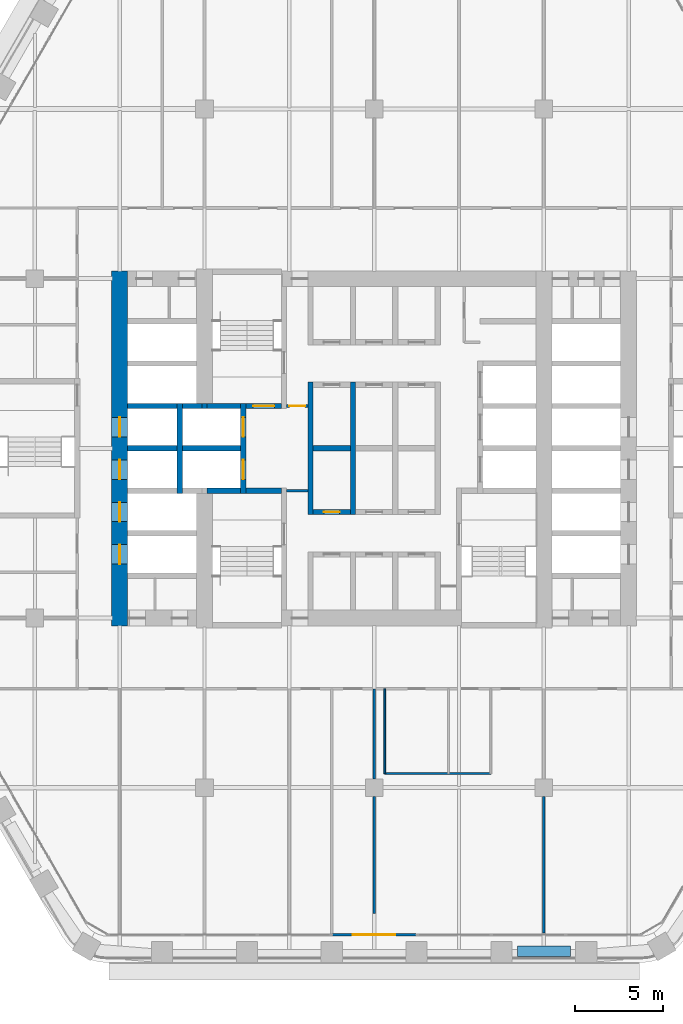
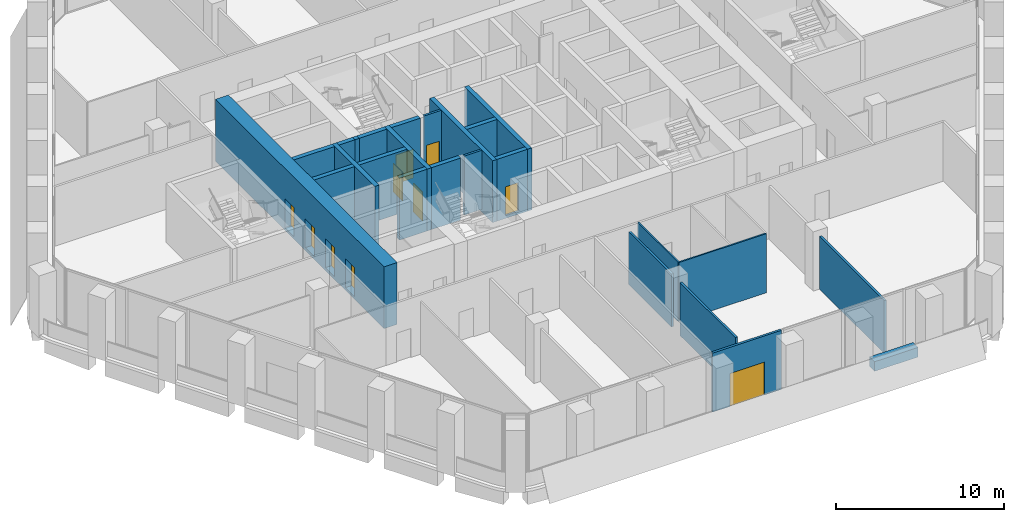
# One storey, part 13 of 23: 25 walls, 10 doors, 10 openings.
"""IFC4 building model written with IfcOpenShell, lengths in metres."""

import ifcopenshell
import ifcopenshell.guid

model = None  # the IFC model being written
_history = None  # IfcOwnerHistory: only IFC2X3 demands one
_inside = {}  # id of a spatial element -> (the spatial element, [elements in it])
_under = {}  # id of a project, library or spatial element -> (it, [spatial elements below it])
_declared = {}  # id of a project -> (the project, [libraries it declares])
_typed = {}  # id of a type object -> (the type object, [elements of that type])
_made_of = {}  # id of a material, layer set ... -> (it, [elements and type objects made of it])


def new_model(schema):
    """Start an empty IFC model of exactly this schema.

    Asked for "IFC4X3", IfcOpenShell would pick the latest addendum, in which some entities
    have other attributes; the version numbers below select the first issue.
    IFC2X3 requires an IfcOwnerHistory on every rooted entity: one is made here for all.
    """
    global model, _history
    if schema == "IFC4X3":
        model = ifcopenshell.file(schema_version=(4, 3, 0, 0))
    else:
        model = ifcopenshell.file(schema=schema)
    _inside.clear()
    _under.clear()
    _declared.clear()
    _typed.clear()
    _made_of.clear()
    _history = None
    if model.schema == "IFC2X3":
        org = make("IfcOrganization", Name="unknown")
        user = make(
            "IfcPersonAndOrganization",
            ThePerson=make("IfcPerson", FamilyName="unknown"),
            TheOrganization=org,
        )
        app = make(
            "IfcApplication",
            ApplicationDeveloper=org,
            Version="unknown",
            ApplicationFullName="unknown",
            ApplicationIdentifier="unknown",
        )
        _history = make(
            "IfcOwnerHistory",
            OwningUser=user,
            OwningApplication=app,
            ChangeAction="ADDED",
            CreationDate=0,
        )
    return model


def make(cls, **values):
    """One entity of the class cls with the attributes given. An attribute that is None is left unset."""
    return model.create_entity(
        cls, **{name: value for name, value in values.items() if value is not None}
    )


def rooted(cls, **values):
    """An entity with a GlobalId (a new one), such as an element, a storey or a relation."""
    return make(cls, GlobalId=ifcopenshell.guid.new(), OwnerHistory=_history, **values)


def si_unit(unit_type, name, prefix=None):
    """IfcSIUnit, for example si_unit("LENGTHUNIT", "METRE", prefix="MILLI")."""
    return make("IfcSIUnit", UnitType=unit_type, Prefix=prefix, Name=name)


def assignment(units):
    """IfcUnitAssignment: the units of a project."""
    return None if units is None else make("IfcUnitAssignment", Units=units)


def point(xyz):
    """IfcCartesianPoint."""
    return None if xyz is None else make("IfcCartesianPoint", Coordinates=xyz)


def direction(xyz):
    """IfcDirection."""
    return None if xyz is None else make("IfcDirection", DirectionRatios=xyz)


def frame(location, z_axis=None, x_axis=None):
    """IfcAxis2Placement3D, a coordinate frame: its origin and axes. An axis left out is left unset."""
    return make(
        "IfcAxis2Placement3D",
        Location=point(location),
        Axis=direction(z_axis),
        RefDirection=direction(x_axis),
    )


def frame_2d(location, x_axis=None):
    """IfcAxis2Placement2D, a coordinate frame in the plane: its origin and x axis."""
    return make(
        "IfcAxis2Placement2D", Location=point(location), RefDirection=direction(x_axis)
    )


def origin():
    """The frame at (0, 0, 0) with its axes left unset."""
    return frame((0.0, 0.0, 0.0))


def place(relative_to, where):
    """IfcLocalPlacement: puts the frame where relative to a parent placement (None: the world)."""
    return make(
        "IfcLocalPlacement", PlacementRelTo=relative_to, RelativePlacement=where
    )


def context(
    kind, dimensions, precision=None, world=None, true_north=None, identifier=None
):
    """IfcGeometricRepresentationContext, for example the 3D "Model" context."""
    return make(
        "IfcGeometricRepresentationContext",
        ContextIdentifier=identifier,
        ContextType=kind,
        CoordinateSpaceDimension=dimensions,
        Precision=precision,
        WorldCoordinateSystem=world,
        TrueNorth=true_north,
    )


def subcontext(parent, identifier, kind, view, scale=None):
    """IfcGeometricRepresentationSubContext, for example "Body" below "Model"."""
    return make(
        "IfcGeometricRepresentationSubContext",
        ContextIdentifier=identifier,
        ContextType=kind,
        ParentContext=parent,
        TargetScale=scale,
        TargetView=view,
    )


def project(units=None, contexts=None):
    """IfcProject with its units and contexts."""
    return rooted(
        "IfcProject",
        Name="project",
        RepresentationContexts=contexts,
        UnitsInContext=assignment(units),
    )


def spatial(cls, under=None, at=None, **own):
    """A site, building, storey or space (cls), placed at a placement, below another one or the project."""
    s = rooted(cls, ObjectPlacement=at, **own)
    if under is not None:
        _under.setdefault(under.id(), (under, []))[1].append(s)
    return s


def profile(cls, at=None, kind="AREA", **sizes):
    """A parametric profile (cls). Its sizes go by their IFC names, for example OverallWidth=200.0."""
    return make(cls, ProfileType=kind, Position=at, **sizes)


def rectangle(**sizes):
    """IfcRectangleProfileDef."""
    return profile("IfcRectangleProfileDef", **sizes)


def extrude(swept, where, along, depth):
    """IfcExtrudedAreaSolid: the profile swept, set in the frame where, extruded along a direction by depth."""
    return make(
        "IfcExtrudedAreaSolid",
        SweptArea=swept,
        Position=where,
        ExtrudedDirection=direction(along),
        Depth=depth,
    )


def shape(context_of_items, identifier, shape_type, items):
    """IfcShapeRepresentation: the items that make up one representation, for example the "Body"."""
    return make(
        "IfcShapeRepresentation",
        ContextOfItems=context_of_items,
        RepresentationIdentifier=identifier,
        RepresentationType=shape_type,
        Items=items,
    )


def material(Name=None, Category=None):
    """IfcMaterial."""
    return make("IfcMaterial", Name=Name, Category=Category)


def layer(
    of_material, thickness, ventilated=None, Name=None, Category=None, Priority=None
):
    """IfcMaterialLayer: one layer of a wall or slab, of a material (None: an air gap)."""
    return make(
        "IfcMaterialLayer",
        Material=of_material,
        LayerThickness=thickness,
        IsVentilated=ventilated,
        Name=Name,
        Category=Category,
        Priority=Priority,
    )


def layer_set(layers, Name=None):
    """IfcMaterialLayerSet."""
    return make("IfcMaterialLayerSet", MaterialLayers=layers, LayerSetName=Name)


def made_of(thing, what):
    """Note that an element or type object is made of a material, layer set ...; save() writes the relation."""
    if what is not None:
        _made_of.setdefault(what.id(), (what, []))[1].append(thing)
    return thing


def type_object(cls, material=None, **own):
    """A type object (cls), such as IfcWallType, which elements share."""
    return made_of(rooted(cls, **own), material)


def element(
    cls,
    number,
    at=None,
    inside=None,
    cuts=None,
    type_object=None,
    material=None,
    context=None,
    identifier="Body",
    shape_type=None,
    held_by="IfcProductDefinitionShape",
    body=None,
    shapes=None,
    **own,
):
    """One element of the class cls, such as IfcWall. Its Tag is "e" and its number.

    at: its placement. inside: the storey or other place that contains it. cuts: it is an
    opening in that element (IfcRelVoidsElement). A single representation is given by context,
    identifier, shape_type and body (its items); several are given by shapes. held_by: the class
    of the entity that holds the representations. save() writes the other relations.
    """
    e = rooted(cls, Tag="e%d" % number, ObjectPlacement=at, **own)
    if body is not None:
        shapes = [shape(context, identifier, shape_type, body)]
    if shapes is not None:
        e.Representation = make(held_by, Representations=shapes)
    if inside is not None:
        _inside.setdefault(inside.id(), (inside, []))[1].append(e)
    if cuts is not None:
        rooted(
            "IfcRelVoidsElement", RelatingBuildingElement=cuts, RelatedOpeningElement=e
        )
    if type_object is not None:
        _typed.setdefault(type_object.id(), (type_object, []))[1].append(e)
    return made_of(e, material)


def fill(opening, filler):
    """IfcRelFillsElement: the door or window that sits in an opening."""
    return rooted(
        "IfcRelFillsElement",
        RelatingOpeningElement=opening,
        RelatedBuildingElement=filler,
    )


def aggregate(whole, parts):
    """IfcRelAggregates: a whole, such as a stair, and the parts it consists of."""
    return rooted("IfcRelAggregates", RelatingObject=whole, RelatedObjects=parts)


def save(model, path):
    """Write the relations noted so far, then the file.

    IfcRelAggregates (storeys below a building ...), IfcRelContainedInSpatialStructure (elements
    in a storey), IfcRelDefinesByType, IfcRelAssociatesMaterial and IfcRelDeclares: one each for
    every whole, place, type object, material and project.
    """
    for whole, parts in _under.values():
        aggregate(whole, parts)
    for where, things in _inside.values():
        rooted(
            "IfcRelContainedInSpatialStructure",
            RelatedElements=things,
            RelatingStructure=where,
        )
    for kind, things in _typed.values():
        rooted("IfcRelDefinesByType", RelatedObjects=things, RelatingType=kind)
    for what, things in _made_of.values():
        rooted("IfcRelAssociatesMaterial", RelatedObjects=things, RelatingMaterial=what)
    for by, libraries in _declared.values():
        rooted("IfcRelDeclares", RelatingContext=by, RelatedDefinitions=libraries)
    model.write(path)


model = new_model("IFC4")

# Units and contexts
model_context = context("Model", 3, precision=1e-05, world=origin(), true_north=direction((0.0, 1.0)))
body_context = subcontext(model_context, "Body", "Model", "MODEL_VIEW")
ifc_project = project(units=[si_unit("LENGTHUNIT", "METRE"), si_unit("AREAUNIT", "SQUARE_METRE"), si_unit("VOLUMEUNIT", "CUBIC_METRE"), si_unit("PLANEANGLEUNIT", "RADIAN"), si_unit("MASSUNIT", "GRAM", prefix="KILO")], contexts=[model_context])

# Site, building, storey
site_placement = place(None, origin())
site = spatial("IfcSite", under=ifc_project, at=site_placement, CompositionType="ELEMENT")
building_placement = place(site_placement, origin())
building = spatial("IfcBuilding", under=site, at=building_placement, Name="Kolab Exchange Tower", CompositionType="ELEMENT")
storey_placement = place(building_placement, frame((0.0, 0.0, 95.89990234375)))
storey = spatial("IfcBuildingStorey", under=building, at=storey_placement, Name="L18", CompositionType="ELEMENT", Elevation=95.89990234375)

# Wall, openings, doors
ifc_material_1 = material(Name="Concrete C70/85", Category="concrete")
ifc_layer_1 = layer(ifc_material_1, 0.89990234375)
ifc_layer_set_1 = layer_set([ifc_layer_1], Name="Concrete C70/85")
wall_type_1 = type_object("IfcWallType", Name="CORE WALL 900 C70/85", PredefinedType="SHEAR", material=ifc_layer_set_1)
wall_1_placement = place(storey_placement, frame((-14.39990234375, -10.050048828125, -0.199951171875), z_axis=(0.0, 0.0, 1.0), x_axis=(0.0, 1.0, 0.0)))
wall_1 = element("IfcWall", 1, at=wall_1_placement, inside=storey, type_object=wall_type_1, Name="wall/L18/core/057", PredefinedType="SHEAR", context=body_context, shape_type="SweptSolid", body=[
    extrude(rectangle(XDim=20.10009765625, YDim=0.89990234375, at=frame_2d((10.050048828125, 0.0))), origin(), (0.0, 0.0, 1.0), 4.5),
])
opening_1_placement = place(wall_1_placement, frame((3.5, 0.0, 0.199951171875)))
opening_1 = element("IfcOpeningElement", 2, at=opening_1_placement, cuts=wall_1, Name="Opening LD1-073", PredefinedType="OPENING", context=body_context, shape_type="SweptSolid", body=[
    extrude(rectangle(XDim=1.10009765625, YDim=2.10009765625, at=frame_2d((0.550048828125, 1.050048828125))), frame((0.0, 0.4599609375, 0.0), z_axis=(0.0, -1.0, 0.0), x_axis=(1.0, 0.0, 0.0)), (0.0, 0.0, 1.0), 0.919921875),
])
opening_2_placement = place(wall_1_placement, frame((5.89990234375, 0.0, 0.199951171875)))
opening_2 = element("IfcOpeningElement", 3, at=opening_2_placement, cuts=wall_1, Name="Opening LD1-074", PredefinedType="OPENING", context=body_context, shape_type="SweptSolid", body=[
    extrude(rectangle(XDim=1.10009765625, YDim=2.10009765625, at=frame_2d((0.550048828125, 1.050048828125))), frame((0.0, 0.4599609375, 0.0), z_axis=(0.0, -1.0, 0.0), x_axis=(1.0, 0.0, 0.0)), (0.0, 0.0, 1.0), 0.919921875),
])
opening_3_placement = place(wall_1_placement, frame((8.300048828125, 0.0, 0.199951171875)))
opening_3 = element("IfcOpeningElement", 4, at=opening_3_placement, cuts=wall_1, Name="Opening LD1-075", PredefinedType="OPENING", context=body_context, shape_type="SweptSolid", body=[
    extrude(rectangle(XDim=1.10009765625, YDim=2.10009765625, at=frame_2d((0.550048828125, 1.050048828125))), frame((0.0, 0.4599609375, 0.0), z_axis=(0.0, -1.0, 0.0), x_axis=(1.0, 0.0, 0.0)), (0.0, 0.0, 1.0), 0.919921875),
])
opening_4_placement = place(wall_1_placement, frame((10.699951171875, 0.0, 0.199951171875)))
opening_4 = element("IfcOpeningElement", 5, at=opening_4_placement, cuts=wall_1, Name="Opening LD1-076", PredefinedType="OPENING", context=body_context, shape_type="SweptSolid", body=[
    extrude(rectangle(XDim=1.10009765625, YDim=2.10009765625, at=frame_2d((0.550048828125, 1.050048828125))), frame((0.0, 0.4599609375, 0.0), z_axis=(0.0, -1.0, 0.0), x_axis=(1.0, 0.0, 0.0)), (0.0, 0.0, 1.0), 0.919921875),
])
ifc_material_2 = material(Name="Stainless steel 316", Category="steel")
door_type_1 = type_object("IfcDoorType", Name="LANDING DOOR 1100 PASSENGER", OperationType="DOUBLE_DOOR_SLIDING", PredefinedType="DOOR", material=ifc_material_2)
door_1_placement = place(opening_1_placement, origin())
door_1 = element("IfcDoor", 6, at=door_1_placement, inside=storey, type_object=door_type_1, Name="Landing door LR5", OperationType="DOUBLE_DOOR_SLIDING", OverallHeight=2.10009765625, OverallWidth=1.10009765625, PredefinedType="DOOR", context=body_context, shape_type="SweptSolid", body=[
    extrude(rectangle(XDim=1.10009765625, YDim=2.10009765625, at=frame_2d((0.550048828125, 1.050048828125))), frame((0.0, 0.02490234375, 0.0), z_axis=(0.0, -1.0, 0.0), x_axis=(1.0, 0.0, 0.0)), (0.0, 0.0, 1.0), 0.050048828125),
])
fill(opening_1, door_1)
door_2_placement = place(opening_2_placement, origin())
door_2 = element("IfcDoor", 7, at=door_2_placement, inside=storey, type_object=door_type_1, Name="Landing door LR6", OperationType="DOUBLE_DOOR_SLIDING", OverallHeight=2.10009765625, OverallWidth=1.10009765625, PredefinedType="DOOR", context=body_context, shape_type="SweptSolid", body=[
    extrude(rectangle(XDim=1.10009765625, YDim=2.10009765625, at=frame_2d((0.550048828125, 1.050048828125))), frame((0.0, 0.02490234375, 0.0), z_axis=(0.0, -1.0, 0.0), x_axis=(1.0, 0.0, 0.0)), (0.0, 0.0, 1.0), 0.050048828125),
])
fill(opening_2, door_2)
door_3_placement = place(opening_3_placement, origin())
door_3 = element("IfcDoor", 8, at=door_3_placement, inside=storey, type_object=door_type_1, Name="Landing door LR7", OperationType="DOUBLE_DOOR_SLIDING", OverallHeight=2.10009765625, OverallWidth=1.10009765625, PredefinedType="DOOR", context=body_context, shape_type="SweptSolid", body=[
    extrude(rectangle(XDim=1.10009765625, YDim=2.10009765625, at=frame_2d((0.550048828125, 1.050048828125))), frame((0.0, 0.02490234375, 0.0), z_axis=(0.0, -1.0, 0.0), x_axis=(1.0, 0.0, 0.0)), (0.0, 0.0, 1.0), 0.050048828125),
])
fill(opening_3, door_3)
door_4_placement = place(opening_4_placement, origin())
door_4 = element("IfcDoor", 9, at=door_4_placement, inside=storey, type_object=door_type_1, Name="Landing door LR8", OperationType="DOUBLE_DOOR_SLIDING", OverallHeight=2.10009765625, OverallWidth=1.10009765625, PredefinedType="DOOR", context=body_context, shape_type="SweptSolid", body=[
    extrude(rectangle(XDim=1.10009765625, YDim=2.10009765625, at=frame_2d((0.550048828125, 1.050048828125))), frame((0.0, 0.02490234375, 0.0), z_axis=(0.0, -1.0, 0.0), x_axis=(1.0, 0.0, 0.0)), (0.0, 0.0, 1.0), 0.050048828125),
])
fill(opening_4, door_4)

# Wall, opening, door
ifc_material_3 = material(Name="Aluminium EN AW-6063 T6", Category="aluminium")
ifc_layer_2 = layer(ifc_material_3, 0.159912109375)
ifc_layer_set_2 = layer_set([ifc_layer_2], Name="Aluminium EN AW-6063 T6")
wall_type_2 = type_object("IfcWallType", Name="DOOR SURROUND WALL 160 ALUMINIUM FRAMED", PredefinedType="PARTITIONING", material=ifc_layer_set_2)
wall_2_placement = place(storey_placement, frame((2.3701171875, -27.5185546875, 0.0), z_axis=(0.0, 0.0, 1.0), x_axis=(-1.0, 0.0, 0.0)))
wall_2 = element("IfcWall", 10, at=wall_2_placement, inside=storey, type_object=wall_type_2, Name="Door surround wall", PredefinedType="PARTITIONING", context=body_context, shape_type="SweptSolid", body=[
    extrude(rectangle(XDim=4.740234375, YDim=0.159912109375, at=frame_2d((2.3701171875, 0.0))), origin(), (0.0, 0.0, 1.0), 4.300048828125),
])
opening_5_placement = place(wall_2_placement, frame((1.169921875, 0.0, 0.0)))
opening_5 = element("IfcOpeningElement", 11, at=opening_5_placement, cuts=wall_2, Name="Opening GD1-037", PredefinedType="OPENING", context=body_context, shape_type="SweptSolid", body=[
    extrude(rectangle(XDim=2.39990234375, YDim=2.39990234375, at=frame_2d((1.199951171875, 1.199951171875))), frame((0.0, 0.08984375, 0.0), z_axis=(0.0, -1.0, 0.0), x_axis=(1.0, 0.0, 0.0)), (0.0, 0.0, 1.0), 0.179931640625),
])
door_type_2 = type_object("IfcDoorType", Name="LOGGIA SLIDING GLASS DOOR 2400 X 2400", OperationType="DOUBLE_DOOR_SINGLE_SWING", PredefinedType="DOOR", material=ifc_material_3)
door_5_placement = place(opening_5_placement, origin())
door_5 = element("IfcDoor", 12, at=door_5_placement, inside=storey, type_object=door_type_2, Name="Loggia door", OperationType="DOUBLE_DOOR_SLIDING", OverallHeight=2.39990234375, OverallWidth=2.39990234375, PredefinedType="DOOR", context=body_context, shape_type="SweptSolid", body=[
    extrude(rectangle(XDim=2.39990234375, YDim=2.39990234375, at=frame_2d((1.199951171875, 1.199951171875))), frame((0.0, 0.02490234375, 0.0), z_axis=(0.0, -1.0, 0.0), x_axis=(1.0, 0.0, 0.0)), (0.0, 0.0, 1.0), 0.050048828125),
])
fill(opening_5, door_5)

ifc_material_4 = material(Name="Concrete C50/60", Category="concrete")
ifc_layer_3 = layer(ifc_material_4, 0.300048828125)
ifc_layer_set_3 = layer_set([ifc_layer_3], Name="Concrete C50/60")
wall_type_3 = type_object("IfcWallType", Name="LIFT SHAFT WALL 300 C50/60", PredefinedType="STANDARD", material=ifc_layer_set_3)
wall_3_placement = place(storey_placement, frame((-3.449951171875, -3.60009765625, -0.199951171875), z_axis=(0.0, 0.0, 1.0), x_axis=(1.0, 0.0, 0.0)))
wall_3 = element("IfcWall", 13, at=wall_3_placement, inside=storey, type_object=wall_type_3, Name="wall/L18/core/014", PredefinedType="STANDARD", context=body_context, shape_type="SweptSolid", body=[
    extrude(rectangle(XDim=2.099853515625, YDim=0.300048828125, at=frame_2d((1.0498046875, 0.0))), origin(), (0.0, 0.0, 1.0), 4.5),
])
opening_6_placement = place(wall_3_placement, frame((0.60009765625, 0.0, 0.199951171875)))
opening_6 = element("IfcOpeningElement", 14, at=opening_6_placement, cuts=wall_3, Name="Opening D6-199", PredefinedType="OPENING", context=body_context, shape_type="SweptSolid", body=[
    extrude(rectangle(XDim=0.89990234375, YDim=2.10009765625, at=frame_2d((0.449951171875, 1.050048828125))), frame((0.0, 0.16015625, 0.0), z_axis=(0.0, -1.0, 0.0), x_axis=(1.0, 0.0, 0.0)), (0.0, 0.0, 1.0), 0.320068359375),
])
ifc_material_5 = material(Name="Steel S235", Category="steel")
door_type_3 = type_object("IfcDoorType", Name="CORE DOOR 900 EI 120", OperationType="SINGLE_SWING_LEFT", PredefinedType="DOOR", material=ifc_material_5)
door_6_placement = place(opening_6_placement, origin())
door_6 = element("IfcDoor", 15, at=door_6_placement, inside=storey, type_object=door_type_3, Name="Service room door", OperationType="SINGLE_SWING_LEFT", OverallHeight=2.10009765625, OverallWidth=0.89990234375, PredefinedType="DOOR", context=body_context, shape_type="SweptSolid", body=[
    extrude(rectangle(XDim=0.89990234375, YDim=2.10009765625, at=frame_2d((0.449951171875, 1.050048828125))), frame((0.0, 0.02490234375, 0.0), z_axis=(0.0, -1.0, 0.0), x_axis=(1.0, 0.0, 0.0)), (0.0, 0.0, 1.0), 0.050048828125),
])
fill(opening_6, door_6)

# Walls
wall_4_placement = place(storey_placement, frame((-13.949951171875, 0.0, -0.199951171875), z_axis=(0.0, 0.0, 1.0), x_axis=(1.0, 0.0, 0.0)))
element("IfcWall", 16, at=wall_4_placement, inside=storey, type_object=wall_type_3, Name="wall/L18/core/024", PredefinedType="STANDARD", context=body_context, shape_type="SweptSolid", body=[
    extrude(rectangle(XDim=2.800048828125, YDim=0.300048828125, at=frame_2d((1.39990234375, 0.0))), origin(), (0.0, 0.0, 1.0), 4.5),
])
wall_5_placement = place(storey_placement, frame((-10.85009765625, 0.0, -0.199951171875), z_axis=(0.0, 0.0, 1.0), x_axis=(1.0, 0.0, 0.0)))
element("IfcWall", 17, at=wall_5_placement, inside=storey, type_object=wall_type_3, Name="wall/L18/core/025", PredefinedType="STANDARD", context=body_context, shape_type="SweptSolid", body=[
    extrude(rectangle(XDim=3.300048828125, YDim=0.300048828125, at=frame_2d((1.64990234375, 0.0))), origin(), (0.0, 0.0, 1.0), 4.5),
])
wall_6_placement = place(storey_placement, frame((-3.449951171875, 0.0, -0.199951171875), z_axis=(0.0, 0.0, 1.0), x_axis=(1.0, 0.0, 0.0)))
element("IfcWall", 18, at=wall_6_placement, inside=storey, type_object=wall_type_3, Name="wall/L18/core/026", PredefinedType="STANDARD", context=body_context, shape_type="SweptSolid", body=[
    extrude(rectangle(XDim=2.099853515625, YDim=0.300048828125, at=frame_2d((1.0498046875, 0.0))), origin(), (0.0, 0.0, 1.0), 4.5),
])
wall_7_placement = place(storey_placement, frame((-13.949951171875, 2.39990234375, -0.199951171875), z_axis=(0.0, 0.0, 1.0), x_axis=(1.0, 0.0, 0.0)))
element("IfcWall", 19, at=wall_7_placement, inside=storey, type_object=wall_type_3, Name="wall/L18/core/031", PredefinedType="STANDARD", context=body_context, shape_type="SweptSolid", body=[
    extrude(rectangle(XDim=2.800048828125, YDim=0.300048828125, at=frame_2d((1.39990234375, 0.0))), origin(), (0.0, 0.0, 1.0), 4.5),
])
wall_8_placement = place(storey_placement, frame((-10.85009765625, 2.39990234375, -0.199951171875), z_axis=(0.0, 0.0, 1.0), x_axis=(1.0, 0.0, 0.0)))
element("IfcWall", 20, at=wall_8_placement, inside=storey, type_object=wall_type_3, Name="wall/L18/core/032", PredefinedType="STANDARD", context=body_context, shape_type="SweptSolid", body=[
    extrude(rectangle(XDim=1.10009765625, YDim=0.300048828125, at=frame_2d((0.550048828125, 0.0))), origin(), (0.0, 0.0, 1.0), 4.5),
])
wall_9_placement = place(storey_placement, frame((-11.0, -2.550048828125, -0.199951171875), z_axis=(0.0, 0.0, 1.0), x_axis=(0.0, 1.0, 0.0)))
element("IfcWall", 21, at=wall_9_placement, inside=storey, type_object=wall_type_3, Name="wall/L18/core/058", PredefinedType="STANDARD", context=body_context, shape_type="SweptSolid", body=[
    extrude(rectangle(XDim=5.10009765625, YDim=0.300048828125, at=frame_2d((2.550048828125, 0.0))), origin(), (0.0, 0.0, 1.0), 4.5),
])

# Wall, openings, doors
wall_10_placement = place(storey_placement, frame((-7.39990234375, -2.550048828125, -0.199951171875), z_axis=(0.0, 0.0, 1.0), x_axis=(0.0, 1.0, 0.0)))
wall_10 = element("IfcWall", 22, at=wall_10_placement, inside=storey, type_object=wall_type_3, Name="wall/L18/core/063", PredefinedType="STANDARD", context=body_context, shape_type="SweptSolid", body=[
    extrude(rectangle(XDim=5.10009765625, YDim=0.300048828125, at=frame_2d((2.550048828125, 0.0))), origin(), (0.0, 0.0, 1.0), 4.5),
])
opening_7_placement = place(wall_10_placement, frame((0.800048828125, 0.0, 0.199951171875)))
opening_7 = element("IfcOpeningElement", 23, at=opening_7_placement, cuts=wall_10, Name="Opening LD2-017", PredefinedType="OPENING", context=body_context, shape_type="SweptSolid", body=[
    extrude(rectangle(XDim=1.10009765625, YDim=2.10009765625, at=frame_2d((0.550048828125, 1.050048828125))), frame((0.0, 0.16015625, 0.0), z_axis=(0.0, -1.0, 0.0), x_axis=(1.0, 0.0, 0.0)), (0.0, 0.0, 1.0), 0.320068359375),
])
opening_8_placement = place(wall_10_placement, frame((3.199951171875, 0.0, 0.199951171875)))
opening_8 = element("IfcOpeningElement", 24, at=opening_8_placement, cuts=wall_10, Name="Opening LD2-018", PredefinedType="OPENING", context=body_context, shape_type="SweptSolid", body=[
    extrude(rectangle(XDim=1.10009765625, YDim=2.10009765625, at=frame_2d((0.550048828125, 1.050048828125))), frame((0.0, 0.16015625, 0.0), z_axis=(0.0, -1.0, 0.0), x_axis=(1.0, 0.0, 0.0)), (0.0, 0.0, 1.0), 0.320068359375),
])
door_type_4 = type_object("IfcDoorType", Name="LANDING DOOR 1100 FIREFIGHTING", OperationType="DOUBLE_DOOR_SLIDING", PredefinedType="DOOR", material=ifc_material_2)
door_7_placement = place(opening_7_placement, origin())
door_7 = element("IfcDoor", 25, at=door_7_placement, inside=storey, type_object=door_type_4, Name="Landing door FF1", OperationType="DOUBLE_DOOR_SLIDING", OverallHeight=2.10009765625, OverallWidth=1.10009765625, PredefinedType="DOOR", context=body_context, shape_type="SweptSolid", body=[
    extrude(rectangle(XDim=1.10009765625, YDim=2.10009765625, at=frame_2d((0.550048828125, 1.050048828125))), frame((0.0, 0.02490234375, 0.0), z_axis=(0.0, -1.0, 0.0), x_axis=(1.0, 0.0, 0.0)), (0.0, 0.0, 1.0), 0.050048828125),
])
fill(opening_7, door_7)
door_8_placement = place(opening_8_placement, origin())
door_8 = element("IfcDoor", 26, at=door_8_placement, inside=storey, type_object=door_type_4, Name="Landing door FF2", OperationType="DOUBLE_DOOR_SLIDING", OverallHeight=2.10009765625, OverallWidth=1.10009765625, PredefinedType="DOOR", context=body_context, shape_type="SweptSolid", body=[
    extrude(rectangle(XDim=1.10009765625, YDim=2.10009765625, at=frame_2d((0.550048828125, 1.050048828125))), frame((0.0, 0.02490234375, 0.0), z_axis=(0.0, -1.0, 0.0), x_axis=(1.0, 0.0, 0.0)), (0.0, 0.0, 1.0), 0.050048828125),
])
fill(opening_8, door_8)

# Walls
for number, where, z_axis, x_axis, name in (
    (27, (-3.60009765625, -3.75, -0.199951171875), (0.0, 0.0, 1.0), (0.0, 1.0, 0.0), "wall/L18/core/067"),
    (28, (-1.199951171875, -3.75, -0.199951171875), (0.0, 0.0, 1.0), (0.0, 1.0, 0.0), "wall/L18/core/070"),
):
    element("IfcWall", number, at=place(storey_placement, frame(where, z_axis=z_axis, x_axis=x_axis)), inside=storey, type_object=wall_type_3, Name=name, PredefinedType="STANDARD", context=body_context, shape_type="SweptSolid", body=[
        extrude(rectangle(XDim=7.5, YDim=0.300048828125, at=frame_2d((3.75, 0.0))), origin(), (0.0, 0.0, 1.0), 4.5),
    ])
ifc_material_6 = material(Name="Gypsum board", Category="gypsum")
ifc_layer_4 = layer(ifc_material_6, 0.10009765625)
ifc_layer_set_4 = layer_set([ifc_layer_4], Name="Gypsum board")
wall_type_4 = type_object("IfcWallType", Name="PARTITION 100", PredefinedType="PARTITIONING", material=ifc_layer_set_4)
wall_11_placement = place(storey_placement, frame((0.60009765625, -18.39990234375, 0.0), z_axis=(0.0, 0.0, 1.0), x_axis=(0.0, 1.0, 0.0)))
element("IfcWall", 29, at=wall_11_placement, inside=storey, type_object=wall_type_4, Name="Partition 015", PredefinedType="PARTITIONING", context=body_context, shape_type="SweptSolid", body=[
    extrude(rectangle(XDim=4.7998046875, YDim=0.10009765625, at=frame_2d((2.39990234375, 0.0))), origin(), (0.0, 0.0, 1.0), 4.300048828125),
])
wall_12_placement = place(storey_placement, frame((0.60009765625, -18.39990234375, 0.0), z_axis=(0.0, 0.0, 1.0), x_axis=(1.0, 0.0, 0.0)))
element("IfcWall", 30, at=wall_12_placement, inside=storey, type_object=wall_type_4, Name="Partition 035", PredefinedType="PARTITIONING", context=body_context, shape_type="SweptSolid", body=[
    extrude(rectangle(XDim=6.0, YDim=0.10009765625, at=frame_2d((3.0, 0.0))), origin(), (0.0, 0.0, 1.0), 4.300048828125),
])
ifc_layer_5 = layer(ifc_material_6, 0.14990234375)
ifc_layer_set_5 = layer_set([ifc_layer_5], Name="Gypsum board")
wall_type_5 = type_object("IfcWallType", Name="PARTITION 150 FIRE-RATED", PredefinedType="PARTITIONING", material=ifc_layer_set_5)
wall_13_placement = place(storey_placement, frame((9.60009765625, -27.428466796875, 0.0), z_axis=(0.0, 0.0, 1.0), x_axis=(0.0, 1.0, 0.0)))
element("IfcWall", 31, at=wall_13_placement, inside=storey, type_object=wall_type_5, Name="Partition 007", PredefinedType="PARTITIONING", context=body_context, shape_type="SweptSolid", body=[
    extrude(rectangle(XDim=7.728515625, YDim=0.14990234375, at=frame_2d((3.8642578125, 0.0))), origin(), (0.0, 0.0, 1.0), 3.843017578125),
])
wall_14_placement = place(storey_placement, frame((0.0, -26.318603515625, 0.0), z_axis=(0.0, 0.0, 1.0), x_axis=(0.0, 1.0, 0.0)))
element("IfcWall", 32, at=wall_14_placement, inside=storey, type_object=wall_type_5, Name="Partition 018", PredefinedType="PARTITIONING", context=body_context, shape_type="SweptSolid", body=[
    extrude(rectangle(XDim=6.61865234375, YDim=0.14990234375, at=frame_2d((3.309326171875, 0.0))), origin(), (0.0, 0.0, 1.0), 3.843017578125),
])
wall_15_placement = place(storey_placement, frame((0.0, -18.699951171875, 0.0), z_axis=(0.0, 0.0, 1.0), x_axis=(0.0, 1.0, 0.0)))
element("IfcWall", 33, at=wall_15_placement, inside=storey, type_object=wall_type_5, Name="Partition 019", PredefinedType="PARTITIONING", context=body_context, shape_type="SweptSolid", body=[
    extrude(rectangle(XDim=5.099853515625, YDim=0.14990234375, at=frame_2d((2.5498046875, 0.0))), origin(), (0.0, 0.0, 1.0), 3.843017578125),
])

# Wall, opening, door
wall_16_placement = place(storey_placement, frame((-4.949951171875, 2.39990234375, 0.0), z_axis=(0.0, 0.0, 1.0), x_axis=(1.0, 0.0, 0.0)))
wall_16 = element("IfcWall", 34, at=wall_16_placement, inside=storey, type_object=wall_type_5, Name="Fire partition", PredefinedType="PARTITIONING", context=body_context, shape_type="SweptSolid", body=[
    extrude(rectangle(XDim=1.199951171875, YDim=0.14990234375, at=frame_2d((0.60009765625, 0.0))), origin(), (0.0, 0.0, 1.0), 4.300048828125),
])
opening_9_placement = place(wall_16_placement, frame((0.14990234375, 0.0, 0.0)))
opening_9 = element("IfcOpeningElement", 35, at=opening_9_placement, cuts=wall_16, Name="Opening D6-204", PredefinedType="OPENING", context=body_context, shape_type="SweptSolid", body=[
    extrude(rectangle(XDim=0.89990234375, YDim=2.10009765625, at=frame_2d((0.449951171875, 1.050048828125))), frame((0.0, 0.0849609375, 0.0), z_axis=(0.0, -1.0, 0.0), x_axis=(1.0, 0.0, 0.0)), (0.0, 0.0, 1.0), 0.169921875),
])
door_9_placement = place(opening_9_placement, frame((0.89990234375, 0.0, 0.0), z_axis=(0.0, 0.0, 1.0), x_axis=(-1.0, 0.0, 0.0)))
door_9 = element("IfcDoor", 36, at=door_9_placement, inside=storey, type_object=door_type_3, Name="Firefighting lobby door", OperationType="SINGLE_SWING_RIGHT", OverallHeight=2.10009765625, OverallWidth=0.89990234375, PredefinedType="DOOR", context=body_context, shape_type="SweptSolid", body=[
    extrude(rectangle(XDim=0.89990234375, YDim=2.10009765625, at=frame_2d((0.449951171875, 1.050048828125))), frame((0.0, 0.02490234375, 0.0), z_axis=(0.0, -1.0, 0.0), x_axis=(1.0, 0.0, 0.0)), (0.0, 0.0, 1.0), 0.050048828125),
])
fill(opening_9, door_9)

# Walls
wall_17_placement = place(storey_placement, frame((-4.949951171875, -2.39990234375, 0.0), z_axis=(0.0, 0.0, 1.0), x_axis=(1.0, 0.0, 0.0)))
element("IfcWall", 37, at=wall_17_placement, inside=storey, type_object=wall_type_5, Name="Fire partition", PredefinedType="PARTITIONING", context=body_context, shape_type="SweptSolid", body=[
    extrude(rectangle(XDim=1.199951171875, YDim=0.14990234375, at=frame_2d((0.60009765625, 0.0))), origin(), (0.0, 0.0, 1.0), 4.300048828125),
])
ifc_material_7 = material(Name="Granite facing", Category="masonry")
ifc_layer_6 = layer(ifc_material_7, 0.0400390625)
ifc_material_8 = material(Name="Concrete C40/50 precast", Category="concrete")
ifc_layer_7 = layer(ifc_material_8, 0.56005859375)
ifc_layer_set_6 = layer_set([ifc_layer_6, ifc_layer_7], Name="Concrete C40/50 precast")
wall_type_6 = type_object("IfcWallType", Name="PLANTER BOX 600 X 700 SOIL DEPTH 550", PredefinedType="USERDEFINED", material=ifc_layer_set_6)
wall_18_placement = place(storey_placement, frame((11.10009765625, -28.448486328125, 0.0), z_axis=(0.0, 0.0, 1.0), x_axis=(-1.0, 0.0, 0.0)))
element("IfcWall", 38, at=wall_18_placement, inside=storey, type_object=wall_type_6, Name="Planter", ObjectType="PLANTER", PredefinedType="USERDEFINED", context=body_context, shape_type="SweptSolid", body=[
    extrude(rectangle(XDim=3.0, YDim=0.60009765625, at=frame_2d((1.5, 0.0))), origin(), (0.0, 0.0, 1.0), 0.7001953125),
])
ifc_layer_8 = layer(ifc_material_4, 0.300048828125)
ifc_layer_set_7 = layer_set([ifc_layer_8], Name="Concrete C50/60")
wall_type_7 = type_object("IfcWallType", Name="STAIR ENCLOSURE WALL 300 C50/60", PredefinedType="STANDARD", material=ifc_layer_set_7)
wall_19_placement = place(storey_placement, frame((-9.449951171875, -2.39990234375, -0.199951171875), z_axis=(0.0, 0.0, 1.0), x_axis=(1.0, 0.0, 0.0)))
element("IfcWall", 39, at=wall_19_placement, inside=storey, type_object=wall_type_7, Name="wall/L18/core/019", PredefinedType="STANDARD", context=body_context, shape_type="SweptSolid", body=[
    extrude(rectangle(XDim=1.89990234375, YDim=0.300048828125, at=frame_2d((0.949951171875, 0.0))), origin(), (0.0, 0.0, 1.0), 4.5),
])
wall_20_placement = place(storey_placement, frame((-7.25, -2.39990234375, -0.199951171875), z_axis=(0.0, 0.0, 1.0), x_axis=(1.0, 0.0, 0.0)))
element("IfcWall", 40, at=wall_20_placement, inside=storey, type_object=wall_type_7, Name="wall/L18/core/020", PredefinedType="STANDARD", context=body_context, shape_type="SweptSolid", body=[
    extrude(rectangle(XDim=2.0, YDim=0.300048828125, at=frame_2d((1.0, 0.0))), origin(), (0.0, 0.0, 1.0), 4.5),
])
wall_21_placement = place(storey_placement, frame((-9.449951171875, 2.39990234375, -0.199951171875), z_axis=(0.0, 0.0, 1.0), x_axis=(1.0, 0.0, 0.0)))
element("IfcWall", 41, at=wall_21_placement, inside=storey, type_object=wall_type_7, Name="wall/L18/core/033", PredefinedType="STANDARD", context=body_context, shape_type="SweptSolid", body=[
    extrude(rectangle(XDim=1.89990234375, YDim=0.300048828125, at=frame_2d((0.949951171875, 0.0))), origin(), (0.0, 0.0, 1.0), 4.5),
])

# Wall, opening, door
wall_22_placement = place(storey_placement, frame((-7.25, 2.39990234375, -0.199951171875), z_axis=(0.0, 0.0, 1.0), x_axis=(1.0, 0.0, 0.0)))
wall_22 = element("IfcWall", 42, at=wall_22_placement, inside=storey, type_object=wall_type_7, Name="wall/L18/core/034", PredefinedType="STANDARD", context=body_context, shape_type="SweptSolid", body=[
    extrude(rectangle(XDim=2.0, YDim=0.300048828125, at=frame_2d((1.0, 0.0))), origin(), (0.0, 0.0, 1.0), 4.5),
])
opening_10_placement = place(wall_22_placement, frame((0.39990234375, 0.0, 0.199951171875)))
opening_10 = element("IfcOpeningElement", 43, at=opening_10_placement, cuts=wall_22, Name="Opening D4-043", PredefinedType="OPENING", context=body_context, shape_type="SweptSolid", body=[
    extrude(rectangle(XDim=1.199951171875, YDim=2.10009765625, at=frame_2d((0.60009765625, 1.050048828125))), frame((0.0, 0.16015625, 0.0), z_axis=(0.0, -1.0, 0.0), x_axis=(1.0, 0.0, 0.0)), (0.0, 0.0, 1.0), 0.320068359375),
])
door_type_5 = type_object("IfcDoorType", Name="STAIR DOOR 1200 EI 120", OperationType="SINGLE_SWING_LEFT", PredefinedType="DOOR", material=ifc_material_5)
door_10_placement = place(opening_10_placement, origin())
door_10 = element("IfcDoor", 44, at=door_10_placement, inside=storey, type_object=door_type_5, Name="Stair 1 door", OperationType="SINGLE_SWING_RIGHT", OverallHeight=2.10009765625, OverallWidth=1.199951171875, PredefinedType="DOOR", context=body_context, shape_type="SweptSolid", body=[
    extrude(rectangle(XDim=1.199951171875, YDim=2.10009765625, at=frame_2d((0.60009765625, 1.050048828125))), frame((0.0, 0.02490234375, 0.0), z_axis=(0.0, -1.0, 0.0), x_axis=(1.0, 0.0, 0.0)), (0.0, 0.0, 1.0), 0.050048828125),
])
fill(opening_10, door_10)

# Wall
wall_23_placement = place(storey_placement, frame((-9.60009765625, 2.25, -0.199951171875), z_axis=(0.0, 0.0, 1.0), x_axis=(0.0, 1.0, 0.0)))
element("IfcWall", 45, at=wall_23_placement, inside=storey, type_object=wall_type_7, Name="wall/L18/core/061", PredefinedType="STANDARD", context=body_context, shape_type="SweptSolid", body=[
    extrude(rectangle(XDim=0.300048828125, YDim=0.300048828125, at=frame_2d((0.14990234375, 0.0))), origin(), (0.0, 0.0, 1.0), 4.5),
])

save(model, "model.ifc")
